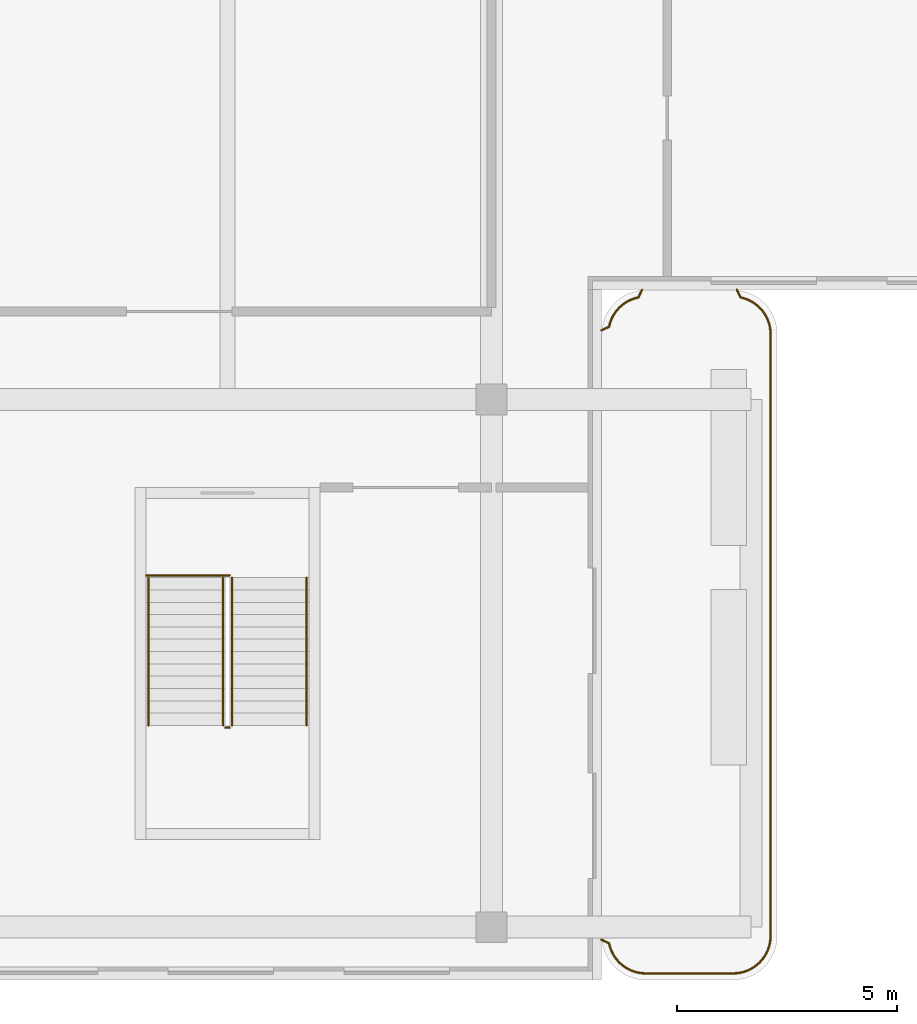
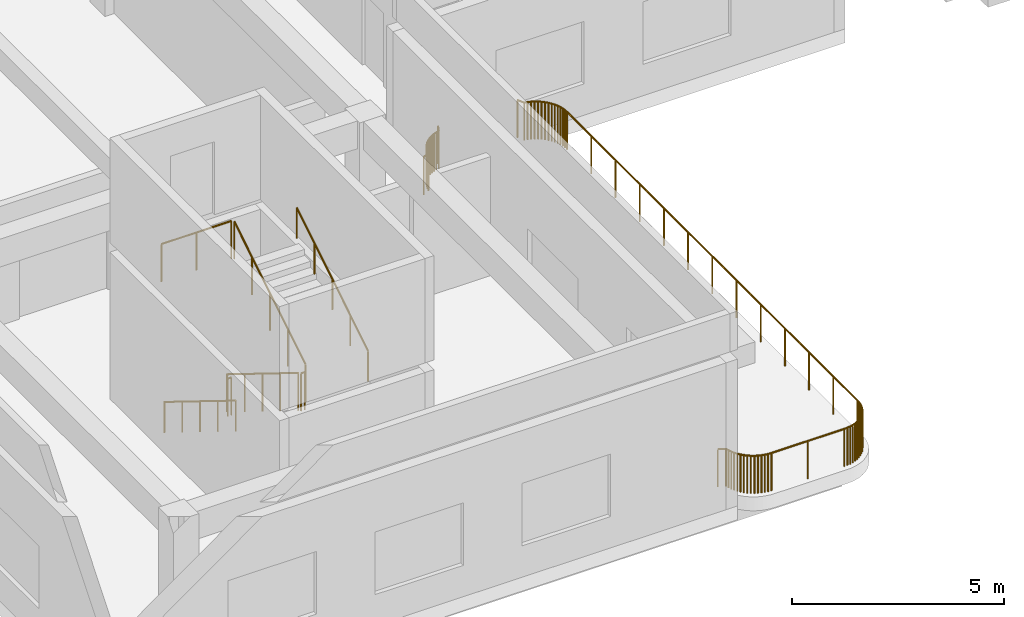
# One storey, part 27 of 35: 9 railings.
"""IFC4 building model written with IfcOpenShell, lengths in metres."""

from ifc_helpers import new_model, si_unit, direction, frame, origin, origin_2d, place, context, subcontext, project, spatial, circle, extrude, material, type_object, element, save


model = new_model("IFC4")

# Units and contexts
model_context = context("Model", 3, precision=1e-05, world=origin(), true_north=direction((0.0, 1.0)))
body_context = subcontext(model_context, "Body", "Model", "MODEL_VIEW")
ifc_project = project(units=[si_unit("LENGTHUNIT", "METRE"), si_unit("AREAUNIT", "SQUARE_METRE"), si_unit("VOLUMEUNIT", "CUBIC_METRE"), si_unit("PLANEANGLEUNIT", "RADIAN"), si_unit("MASSUNIT", "GRAM", prefix="KILO")], contexts=[model_context])

# Site, building, storey
site_placement = place(None, origin())
site = spatial("IfcSite", under=ifc_project, at=site_placement, CompositionType="ELEMENT")
building_placement = place(site_placement, origin())
building = spatial("IfcBuilding", under=site, at=building_placement, Name="Kilnfold Tower and Market Hall", CompositionType="ELEMENT")
storey_placement = place(building_placement, frame((0.0, 0.0, 22.5)))
storey = spatial("IfcBuildingStorey", under=building, at=storey_placement, Name="L04", CompositionType="ELEMENT", Elevation=22.5)

# Railings
ifc_material_1 = material(Name="Steel S355", Category="steel")
railing_type_1 = type_object("IfcRailingType", Name="HALL STAIR GUARD 1100", PredefinedType="GUARDRAIL", material=ifc_material_1)
railing_1_placement = place(storey_placement, frame((-48.75, -34.699951171875, 0.173095703125)))
element("IfcRailing", 1, at=railing_1_placement, inside=storey, type_object=railing_type_1, Name="L04 MS1 stair guard 1", PredefinedType="GUARDRAIL", context=body_context, shape_type="SweptSolid", body=[
    extrude(circle(Radius=0.02392578125, at=origin_2d()), frame((0.0, 0.0, 1.076171875), z_axis=(0.0, -0.850623216509, 0.525775754039), x_axis=(1.0, 0.0, 0.0)), (0.0, 0.0, 1.0), 3.9501953125),
    extrude(circle(Radius=0.02099609375, at=origin_2d()), origin(), (0.0, 0.0, 1.0), 1.052001953125),
    extrude(circle(Radius=0.02099609375, at=origin_2d()), frame((0.0, -0.840087890625, 0.519287109375)), (0.0, 0.0, 1.0), 1.052001953125),
    extrude(circle(Radius=0.02099609375, at=origin_2d()), frame((0.0, -1.68017578125, 1.03857421875)), (0.0, 0.0, 1.0), 1.052001953125),
    extrude(circle(Radius=0.02099609375, at=origin_2d()), frame((0.0, -2.52001953125, 1.5576171875)), (0.0, 0.0, 1.0), 1.052001953125),
    extrude(circle(Radius=0.02099609375, at=origin_2d()), frame((0.0, -3.360107421875, 2.076904296875)), (0.0, 0.0, 1.0), 1.052001953125),
])
railing_2_placement = place(storey_placement, frame((-48.699951171875, -38.110107421875, 2.25)))
element("IfcRailing", 2, at=railing_2_placement, inside=storey, type_object=railing_type_1, Name="L04 MS1 stair guard 2", PredefinedType="GUARDRAIL", context=body_context, shape_type="SweptSolid", body=[
    extrude(circle(Radius=0.02392578125, at=origin_2d()), frame((0.0, 0.0, 1.076171875), z_axis=(1.0, 0.0, 0.0), x_axis=(0.0, 1.0, 0.0)), (0.0, 0.0, 1.0), 0.099853515625),
    extrude(circle(Radius=0.02099609375, at=origin_2d()), origin(), (0.0, 0.0, 1.0), 1.052001953125),
    extrude(circle(Radius=0.02099609375, at=origin_2d()), frame((0.099853515625, 0.0, 0.0)), (0.0, 0.0, 1.0), 1.052001953125),
])
railing_3_placement = place(storey_placement, frame((-48.550048828125, -38.06005859375, 2.423095703125)))
element("IfcRailing", 3, at=railing_3_placement, inside=storey, type_object=railing_type_1, Name="L04 MS1 stair guard 3", PredefinedType="GUARDRAIL", context=body_context, shape_type="SweptSolid", body=[
    extrude(circle(Radius=0.02392578125, at=origin_2d()), frame((0.0, 0.0, 1.076171875), z_axis=(0.0, 0.850623216509, 0.525775754039), x_axis=(-1.0, 0.0, 0.0)), (0.0, 0.0, 1.0), 3.9501953125),
    extrude(circle(Radius=0.02099609375, at=origin_2d()), origin(), (0.0, 0.0, 1.0), 1.052001953125),
    extrude(circle(Radius=0.02099609375, at=origin_2d()), frame((0.0, 0.840087890625, 0.519287109375)), (0.0, 0.0, 1.0), 1.052001953125),
    extrude(circle(Radius=0.02099609375, at=origin_2d()), frame((0.0, 1.68017578125, 1.03857421875)), (0.0, 0.0, 1.0), 1.052001953125),
    extrude(circle(Radius=0.02099609375, at=origin_2d()), frame((0.0, 2.52001953125, 1.5576171875)), (0.0, 0.0, 1.0), 1.052001953125),
    extrude(circle(Radius=0.02099609375, at=origin_2d()), frame((0.0, 3.360107421875, 2.076904296875)), (0.0, 0.0, 1.0), 1.052001953125),
])
railing_4_placement = place(storey_placement, frame((-48.699951171875, -34.64990234375, 0.0)))
element("IfcRailing", 4, at=railing_4_placement, inside=storey, type_object=railing_type_1, Name="L04 MS1 stair guard 4", PredefinedType="GUARDRAIL", context=body_context, shape_type="SweptSolid", body=[
    extrude(circle(Radius=0.02392578125, at=origin_2d()), frame((0.0, 0.0, 1.076171875), z_axis=(1.0, 0.0, 0.0), x_axis=(0.0, 1.0, 0.0)), (0.0, 0.0, 1.0), 0.099853515625),
    extrude(circle(Radius=0.02099609375, at=origin_2d()), origin(), (0.0, 0.0, 1.0), 1.052001953125),
    extrude(circle(Radius=0.02099609375, at=origin_2d()), frame((0.099853515625, 0.0, 0.0)), (0.0, 0.0, 1.0), 1.052001953125),
])
railing_5_placement = place(storey_placement, frame((-50.5, -34.64990234375, 4.5)))
element("IfcRailing", 5, at=railing_5_placement, inside=storey, type_object=railing_type_1, Name="L04 MS1 top well guard 1", PredefinedType="GUARDRAIL", context=body_context, shape_type="SweptSolid", body=[
    extrude(circle(Radius=0.02392578125, at=origin_2d()), frame((0.0, 0.0, 1.076171875), z_axis=(1.0, 0.0, 0.0), x_axis=(0.0, 1.0, 0.0)), (0.0, 0.0, 1.0), 1.89990234375),
    extrude(circle(Radius=0.02099609375, at=origin_2d()), origin(), (0.0, 0.0, 1.0), 1.052001953125),
    extrude(circle(Radius=0.02099609375, at=origin_2d()), frame((0.949951171875, 0.0, 0.0)), (0.0, 0.0, 1.0), 1.052001953125),
    extrude(circle(Radius=0.02099609375, at=origin_2d()), frame((1.89990234375, 0.0, 0.0)), (0.0, 0.0, 1.0), 1.052001953125),
])
ifc_material_2 = material(Name="Steel S355", Category="steel")
railing_type_2 = type_object("IfcRailingType", Name="HALL STAIR HANDRAIL", PredefinedType="HANDRAIL", material=ifc_material_2)
railing_6_placement = place(storey_placement, frame((-50.449951171875, -34.699951171875, 0.173095703125)))
element("IfcRailing", 6, at=railing_6_placement, inside=storey, type_object=railing_type_2, Name="L04 MS1 stair handrail 1", PredefinedType="HANDRAIL", context=body_context, shape_type="SweptSolid", body=[
    extrude(circle(Radius=0.02392578125, at=origin_2d()), frame((0.0, 0.0, 0.8759765625), z_axis=(0.0, -0.850623216509, 0.525775754039), x_axis=(1.0, 0.0, 0.0)), (0.0, 0.0, 1.0), 3.9501953125),
    extrude(circle(Radius=0.02099609375, at=origin_2d()), origin(), (0.0, 0.0, 1.0), 0.851806640625),
    extrude(circle(Radius=0.02099609375, at=origin_2d()), frame((0.0, -0.840087890625, 0.519287109375)), (0.0, 0.0, 1.0), 0.851806640625),
    extrude(circle(Radius=0.02099609375, at=origin_2d()), frame((0.0, -1.68017578125, 1.03857421875)), (0.0, 0.0, 1.0), 0.851806640625),
    extrude(circle(Radius=0.02099609375, at=origin_2d()), frame((0.0, -2.52001953125, 1.5576171875)), (0.0, 0.0, 1.0), 0.851806640625),
    extrude(circle(Radius=0.02099609375, at=origin_2d()), frame((0.0, -3.360107421875, 2.076904296875)), (0.0, 0.0, 1.0), 0.851806640625),
])
railing_7_placement = place(storey_placement, frame((-46.85009765625, -38.06005859375, 2.423095703125)))
element("IfcRailing", 7, at=railing_7_placement, inside=storey, type_object=railing_type_2, Name="L04 MS1 stair handrail 2", PredefinedType="HANDRAIL", context=body_context, shape_type="SweptSolid", body=[
    extrude(circle(Radius=0.02392578125, at=origin_2d()), frame((0.0, 0.0, 0.8759765625), z_axis=(0.0, 0.850623216509, 0.525775754039), x_axis=(-1.0, 0.0, 0.0)), (0.0, 0.0, 1.0), 3.9501953125),
    extrude(circle(Radius=0.02099609375, at=origin_2d()), origin(), (0.0, 0.0, 1.0), 0.851806640625),
    extrude(circle(Radius=0.02099609375, at=origin_2d()), frame((0.0, 0.840087890625, 0.519287109375)), (0.0, 0.0, 1.0), 0.851806640625),
    extrude(circle(Radius=0.02099609375, at=origin_2d()), frame((0.0, 1.68017578125, 1.03857421875)), (0.0, 0.0, 1.0), 0.851806640625),
    extrude(circle(Radius=0.02099609375, at=origin_2d()), frame((0.0, 2.52001953125, 1.5576171875)), (0.0, 0.0, 1.0), 0.851806640625),
    extrude(circle(Radius=0.02099609375, at=origin_2d()), frame((0.0, 3.360107421875, 2.076904296875)), (0.0, 0.0, 1.0), 0.851806640625),
])
ifc_material_3 = material(Name="Steel S355", Category="steel")
railing_type_3 = type_object("IfcRailingType", Name="TERRACE GUARD 1100", PredefinedType="GUARDRAIL", material=ifc_material_3)
railing_8_placement = place(storey_placement, frame((-37.066650390625, -28.14990234375, 0.0)))
element("IfcRailing", 8, at=railing_8_placement, inside=storey, type_object=railing_type_3, Name="Terrace guard L04", PredefinedType="GUARDRAIL", context=body_context, shape_type="SweptSolid", body=[
    extrude(circle(Radius=0.02392578125, at=origin_2d()), frame((0.0, 0.0, 1.076171875), z_axis=(0.42350270475, -0.905894838858, 0.0), x_axis=(0.905894838858, 0.42350270475, 0.0)), (0.0, 0.0, 1.0), 0.19482421875),
    extrude(circle(Radius=0.02392578125, at=origin_2d()), frame((0.08251953125, -0.176513671875, 1.076171875), z_axis=(0.969969877317, -0.243225074977, 0.0), x_axis=(0.243225074977, 0.969969877317, 0.0)), (0.0, 0.0, 1.0), 0.083251953125),
    extrude(circle(Radius=0.02392578125, at=origin_2d()), frame((0.163330078125, -0.19677734375, 1.076171875), z_axis=(0.940812896161, -0.338926384952, 0.0), x_axis=(0.338926384952, 0.940812896161, 0.0)), (0.0, 0.0, 1.0), 0.08349609375),
    extrude(circle(Radius=0.02392578125, at=origin_2d()), frame((0.241943359375, -0.22509765625, 1.076171875), z_axis=(0.904752118748, -0.425938497463, 0.0), x_axis=(0.425938497463, 0.904752118748, 0.0)), (0.0, 0.0, 1.0), 0.0830078125),
    extrude(circle(Radius=0.02392578125, at=origin_2d()), frame((0.317138671875, -0.260498046875, 1.076171875), z_axis=(0.857234666397, -0.514925942955, 0.0), x_axis=(0.514925942955, 0.857234666397, 0.0)), (0.0, 0.0, 1.0), 0.08349609375),
    extrude(circle(Radius=0.02392578125, at=origin_2d()), frame((0.388671875, -0.303466796875, 1.076171875), z_axis=(0.803143107794, -0.595786159963, 0.0), x_axis=(0.595786159963, 0.803143107794, 0.0)), (0.0, 0.0, 1.0), 0.08349609375),
    extrude(circle(Radius=0.02392578125, at=origin_2d()), frame((0.455810546875, -0.353271484375, 1.076171875), z_axis=(0.741396915291, -0.671066773129, 0.0), x_axis=(0.671066773129, 0.741396915291, 0.0)), (0.0, 0.0, 1.0), 0.083251953125),
    extrude(circle(Radius=0.02392578125, at=origin_2d()), frame((0.517578125, -0.4091796875, 1.076171875), z_axis=(0.671066773129, -0.741396915291, 0.0), x_axis=(0.741396915291, 0.671066773129, 0.0)), (0.0, 0.0, 1.0), 0.083251953125),
    extrude(circle(Radius=0.02392578125, at=origin_2d()), frame((0.573486328125, -0.470947265625, 1.076171875), z_axis=(0.595786159963, -0.803143107794, 0.0), x_axis=(0.803143107794, 0.595786159963, 0.0)), (0.0, 0.0, 1.0), 0.08349609375),
    extrude(circle(Radius=0.02392578125, at=origin_2d()), frame((0.623291015625, -0.5380859375, 1.076171875), z_axis=(0.514925942955, -0.857234666397, 0.0), x_axis=(0.857234666397, 0.514925942955, 0.0)), (0.0, 0.0, 1.0), 0.08349609375),
    extrude(circle(Radius=0.02392578125, at=origin_2d()), frame((0.666259765625, -0.609619140625, 1.076171875), z_axis=(0.425938497463, -0.904752118748, 0.0), x_axis=(0.904752118748, 0.425938497463, 0.0)), (0.0, 0.0, 1.0), 0.0830078125),
    extrude(circle(Radius=0.02392578125, at=origin_2d()), frame((0.70166015625, -0.684814453125, 1.076171875), z_axis=(0.336336396998, -0.941741911595, 0.0), x_axis=(0.941741911595, 0.336336396998, 0.0)), (0.0, 0.0, 1.0), 0.08349609375),
    extrude(circle(Radius=0.02392578125, at=origin_2d()), frame((0.729736328125, -0.763427734375, 1.076171875), z_axis=(0.245979182383, -0.969275111531, 0.0), x_axis=(0.969275111531, 0.245979182383, 0.0)), (0.0, 0.0, 1.0), 0.083251953125),
    extrude(circle(Radius=0.02392578125, at=origin_2d()), frame((0.750244140625, -0.84423828125, 1.076171875), z_axis=(0.146336518873, -0.989234867584, 0.0), x_axis=(0.989234867584, 0.146336518873, 0.0)), (0.0, 0.0, 1.0), 0.08349609375),
    extrude(circle(Radius=0.02392578125, at=origin_2d()), frame((0.762451171875, -0.9267578125, 1.076171875), z_axis=(0.047565149415, -0.998868137724, 0.0), x_axis=(0.998868137724, 0.047565149415, 0.0)), (0.0, 0.0, 1.0), 0.087158203125),
    extrude(circle(Radius=0.02392578125, at=origin_2d()), frame((0.7666015625, -1.013916015625, 1.076171875), z_axis=(0.0, -1.0, 0.0), x_axis=(1.0, 0.0, 0.0)), (0.0, 0.0, 1.0), 13.682373046875),
    extrude(circle(Radius=0.02392578125, at=origin_2d()), frame((0.7666015625, -14.6962890625, 1.076171875), z_axis=(-0.047565149415, -0.998868137724, 0.0), x_axis=(0.998868137724, -0.047565149415, 0.0)), (0.0, 0.0, 1.0), 0.087158203125),
    extrude(circle(Radius=0.02392578125, at=origin_2d()), frame((0.762451171875, -14.783447265625, 1.076171875), z_axis=(-0.146336518873, -0.989234867584, 0.0), x_axis=(0.989234867584, -0.146336518873, 0.0)), (0.0, 0.0, 1.0), 0.08349609375),
    extrude(circle(Radius=0.02392578125, at=origin_2d()), frame((0.750244140625, -14.865966796875, 1.076171875), z_axis=(-0.245979182383, -0.969275111531, 0.0), x_axis=(0.969275111531, -0.245979182383, 0.0)), (0.0, 0.0, 1.0), 0.083251953125),
    extrude(circle(Radius=0.02392578125, at=origin_2d()), frame((0.729736328125, -14.94677734375, 1.076171875), z_axis=(-0.336336396998, -0.941741911595, 0.0), x_axis=(0.941741911595, -0.336336396998, 0.0)), (0.0, 0.0, 1.0), 0.08349609375),
    extrude(circle(Radius=0.02392578125, at=origin_2d()), frame((0.70166015625, -15.025390625, 1.076171875), z_axis=(-0.425938497463, -0.904752118748, 0.0), x_axis=(0.904752118748, -0.425938497463, 0.0)), (0.0, 0.0, 1.0), 0.0830078125),
    extrude(circle(Radius=0.02392578125, at=origin_2d()), frame((0.666259765625, -15.1005859375, 1.076171875), z_axis=(-0.514925942955, -0.857234666397, 0.0), x_axis=(0.857234666397, -0.514925942955, 0.0)), (0.0, 0.0, 1.0), 0.08349609375),
    extrude(circle(Radius=0.02392578125, at=origin_2d()), frame((0.623291015625, -15.172119140625, 1.076171875), z_axis=(-0.595786159963, -0.803143107794, 0.0), x_axis=(0.803143107794, -0.595786159963, 0.0)), (0.0, 0.0, 1.0), 0.08349609375),
    extrude(circle(Radius=0.02392578125, at=origin_2d()), frame((0.573486328125, -15.2392578125, 1.076171875), z_axis=(-0.671066773129, -0.741396915291, 0.0), x_axis=(0.741396915291, -0.671066773129, 0.0)), (0.0, 0.0, 1.0), 0.083251953125),
    extrude(circle(Radius=0.02392578125, at=origin_2d()), frame((0.517578125, -15.301025390625, 1.076171875), z_axis=(-0.741396915291, -0.671066773129, 0.0), x_axis=(0.671066773129, -0.741396915291, 0.0)), (0.0, 0.0, 1.0), 0.083251953125),
    extrude(circle(Radius=0.02392578125, at=origin_2d()), frame((0.455810546875, -15.35693359375, 1.076171875), z_axis=(-0.803143107794, -0.595786159963, 0.0), x_axis=(0.595786159963, -0.803143107794, 0.0)), (0.0, 0.0, 1.0), 0.08349609375),
    extrude(circle(Radius=0.02392578125, at=origin_2d()), frame((0.388671875, -15.40673828125, 1.076171875), z_axis=(-0.857234666397, -0.514925942955, 0.0), x_axis=(0.514925942955, -0.857234666397, 0.0)), (0.0, 0.0, 1.0), 0.08349609375),
    extrude(circle(Radius=0.02392578125, at=origin_2d()), frame((0.317138671875, -15.44970703125, 1.076171875), z_axis=(-0.904752118748, -0.425938497463, 0.0), x_axis=(0.425938497463, -0.904752118748, 0.0)), (0.0, 0.0, 1.0), 0.0830078125),
    extrude(circle(Radius=0.02392578125, at=origin_2d()), frame((0.241943359375, -15.485107421875, 1.076171875), z_axis=(-0.941741911595, -0.336336396998, 0.0), x_axis=(0.336336396998, -0.941741911595, 0.0)), (0.0, 0.0, 1.0), 0.08349609375),
    extrude(circle(Radius=0.02392578125, at=origin_2d()), frame((0.163330078125, -15.51318359375, 1.076171875), z_axis=(-0.969275111531, -0.245979182383, 0.0), x_axis=(0.245979182383, -0.969275111531, 0.0)), (0.0, 0.0, 1.0), 0.083251953125),
    extrude(circle(Radius=0.02392578125, at=origin_2d()), frame((0.08251953125, -15.53369140625, 1.076171875), z_axis=(-0.989234867584, -0.146336518873, 0.0), x_axis=(0.146336518873, -0.989234867584, 0.0)), (0.0, 0.0, 1.0), 0.08349609375),
    extrude(circle(Radius=0.02392578125, at=origin_2d()), frame((0.0, -15.5458984375, 1.076171875), z_axis=(-0.998868137724, -0.047565149415, 0.0), x_axis=(0.047565149415, -0.998868137724, 0.0)), (0.0, 0.0, 1.0), 0.087158203125),
    extrude(circle(Radius=0.02392578125, at=origin_2d()), frame((-0.087158203125, -15.550048828125, 1.076171875), z_axis=(-1.0, 0.0, 0.0), x_axis=(0.0, -1.0, 0.0)), (0.0, 0.0, 1.0), 1.982421875),
    extrude(circle(Radius=0.02392578125, at=origin_2d()), frame((-2.069580078125, -15.550048828125, 1.076171875), z_axis=(-0.998868137724, 0.047565149415, 0.0), x_axis=(-0.047565149415, -0.998868137724, 0.0)), (0.0, 0.0, 1.0), 0.087158203125),
    extrude(circle(Radius=0.02392578125, at=origin_2d()), frame((-2.15673828125, -15.5458984375, 1.076171875), z_axis=(-0.989234867584, 0.146336518873, 0.0), x_axis=(-0.146336518873, -0.989234867584, 0.0)), (0.0, 0.0, 1.0), 0.08349609375),
    extrude(circle(Radius=0.02392578125, at=origin_2d()), frame((-2.2392578125, -15.53369140625, 1.076171875), z_axis=(-0.969275111531, 0.245979182383, 0.0), x_axis=(-0.245979182383, -0.969275111531, 0.0)), (0.0, 0.0, 1.0), 0.083251953125),
    extrude(circle(Radius=0.02392578125, at=origin_2d()), frame((-2.320068359375, -15.51318359375, 1.076171875), z_axis=(-0.941409695483, 0.337265155703, 0.0), x_axis=(-0.337265155703, -0.941409695483, 0.0)), (0.0, 0.0, 1.0), 0.083251953125),
    extrude(circle(Radius=0.02392578125, at=origin_2d()), frame((-2.3984375, -15.485107421875, 1.076171875), z_axis=(-0.905282934346, 0.424809143949, 0.0), x_axis=(-0.424809143949, -0.905282934346, 0.0)), (0.0, 0.0, 1.0), 0.083251953125),
    extrude(circle(Radius=0.02392578125, at=origin_2d()), frame((-2.473876953125, -15.44970703125, 1.076171875), z_axis=(-0.857234666397, 0.514925942955, 0.0), x_axis=(-0.514925942955, -0.857234666397, 0.0)), (0.0, 0.0, 1.0), 0.08349609375),
    extrude(circle(Radius=0.02392578125, at=origin_2d()), frame((-2.54541015625, -15.40673828125, 1.076171875), z_axis=(-0.803143107794, 0.595786159963, 0.0), x_axis=(-0.595786159963, -0.803143107794, 0.0)), (0.0, 0.0, 1.0), 0.08349609375),
    extrude(circle(Radius=0.02392578125, at=origin_2d()), frame((-2.612548828125, -15.35693359375, 1.076171875), z_axis=(-0.741396915291, 0.671066773129, 0.0), x_axis=(-0.671066773129, -0.741396915291, 0.0)), (0.0, 0.0, 1.0), 0.083251953125),
    extrude(circle(Radius=0.02392578125, at=origin_2d()), frame((-2.67431640625, -15.301025390625, 1.076171875), z_axis=(-0.671066773129, 0.741396915291, 0.0), x_axis=(-0.741396915291, -0.671066773129, 0.0)), (0.0, 0.0, 1.0), 0.083251953125),
    extrude(circle(Radius=0.02392578125, at=origin_2d()), frame((-2.730224609375, -15.2392578125, 1.076171875), z_axis=(-0.595786159963, 0.803143107794, 0.0), x_axis=(-0.803143107794, -0.595786159963, 0.0)), (0.0, 0.0, 1.0), 0.08349609375),
    extrude(circle(Radius=0.02392578125, at=origin_2d()), frame((-2.780029296875, -15.172119140625, 1.076171875), z_axis=(-0.512771115683, 0.858525353686, 0.0), x_axis=(-0.858525353686, -0.512771115683, 0.0)), (0.0, 0.0, 1.0), 0.083251953125),
    extrude(circle(Radius=0.02392578125, at=origin_2d()), frame((-2.82275390625, -15.1005859375, 1.076171875), z_axis=(-0.428338557428, 0.903618326629, 0.0), x_axis=(-0.903618326629, -0.428338557428, 0.0)), (0.0, 0.0, 1.0), 0.083251953125),
    extrude(circle(Radius=0.02392578125, at=origin_2d()), frame((-2.8583984375, -15.025390625, 1.076171875), z_axis=(-0.336336396998, 0.941741911595, 0.0), x_axis=(-0.941741911595, -0.336336396998, 0.0)), (0.0, 0.0, 1.0), 0.08349609375),
    extrude(circle(Radius=0.02392578125, at=origin_2d()), frame((-2.886474609375, -14.94677734375, 1.076171875), z_axis=(-0.243225074977, 0.969969877317, 0.0), x_axis=(-0.969969877317, -0.243225074977, 0.0)), (0.0, 0.0, 1.0), 0.083251953125),
    extrude(circle(Radius=0.02392578125, at=origin_2d()), frame((-2.90673828125, -14.865966796875, 1.076171875), z_axis=(-0.905894838858, 0.42350270475, 0.0), x_axis=(-0.42350270475, -0.905894838858, 0.0)), (0.0, 0.0, 1.0), 0.19482421875),
    extrude(circle(Radius=0.02099609375, at=origin_2d()), origin(), (0.0, 0.0, 1.0), 1.052001953125),
    extrude(circle(Radius=0.02099609375, at=origin_2d()), frame((0.08251953125, -0.176513671875, 0.0)), (0.0, 0.0, 1.0), 1.052001953125),
    extrude(circle(Radius=0.02099609375, at=origin_2d()), frame((0.163330078125, -0.19677734375, 0.0)), (0.0, 0.0, 1.0), 1.052001953125),
    extrude(circle(Radius=0.02099609375, at=origin_2d()), frame((0.241943359375, -0.22509765625, 0.0)), (0.0, 0.0, 1.0), 1.052001953125),
    extrude(circle(Radius=0.02099609375, at=origin_2d()), frame((0.317138671875, -0.260498046875, 0.0)), (0.0, 0.0, 1.0), 1.052001953125),
    extrude(circle(Radius=0.02099609375, at=origin_2d()), frame((0.388671875, -0.303466796875, 0.0)), (0.0, 0.0, 1.0), 1.052001953125),
    extrude(circle(Radius=0.02099609375, at=origin_2d()), frame((0.455810546875, -0.353271484375, 0.0)), (0.0, 0.0, 1.0), 1.052001953125),
    extrude(circle(Radius=0.02099609375, at=origin_2d()), frame((0.517578125, -0.4091796875, 0.0)), (0.0, 0.0, 1.0), 1.052001953125),
    extrude(circle(Radius=0.02099609375, at=origin_2d()), frame((0.573486328125, -0.470947265625, 0.0)), (0.0, 0.0, 1.0), 1.052001953125),
    extrude(circle(Radius=0.02099609375, at=origin_2d()), frame((0.623291015625, -0.5380859375, 0.0)), (0.0, 0.0, 1.0), 1.052001953125),
    extrude(circle(Radius=0.02099609375, at=origin_2d()), frame((0.666259765625, -0.609619140625, 0.0)), (0.0, 0.0, 1.0), 1.052001953125),
    extrude(circle(Radius=0.02099609375, at=origin_2d()), frame((0.70166015625, -0.684814453125, 0.0)), (0.0, 0.0, 1.0), 1.052001953125),
    extrude(circle(Radius=0.02099609375, at=origin_2d()), frame((0.729736328125, -0.763427734375, 0.0)), (0.0, 0.0, 1.0), 1.052001953125),
    extrude(circle(Radius=0.02099609375, at=origin_2d()), frame((0.750244140625, -0.84423828125, 0.0)), (0.0, 0.0, 1.0), 1.052001953125),
    extrude(circle(Radius=0.02099609375, at=origin_2d()), frame((0.762451171875, -0.9267578125, 0.0)), (0.0, 0.0, 1.0), 1.052001953125),
    extrude(circle(Radius=0.02099609375, at=origin_2d()), frame((0.7666015625, -1.013916015625, 0.0)), (0.0, 0.0, 1.0), 1.052001953125),
    extrude(circle(Radius=0.02099609375, at=origin_2d()), frame((0.7666015625, -2.154052734375, 0.0)), (0.0, 0.0, 1.0), 1.052001953125),
    extrude(circle(Radius=0.02099609375, at=origin_2d()), frame((0.7666015625, -3.29443359375, 0.0)), (0.0, 0.0, 1.0), 1.052001953125),
    extrude(circle(Radius=0.02099609375, at=origin_2d()), frame((0.7666015625, -4.4345703125, 0.0)), (0.0, 0.0, 1.0), 1.052001953125),
    extrude(circle(Radius=0.02099609375, at=origin_2d()), frame((0.7666015625, -5.57470703125, 0.0)), (0.0, 0.0, 1.0), 1.052001953125),
    extrude(circle(Radius=0.02099609375, at=origin_2d()), frame((0.7666015625, -6.71484375, 0.0)), (0.0, 0.0, 1.0), 1.052001953125),
    extrude(circle(Radius=0.02099609375, at=origin_2d()), frame((0.7666015625, -7.85498046875, 0.0)), (0.0, 0.0, 1.0), 1.052001953125),
    extrude(circle(Radius=0.02099609375, at=origin_2d()), frame((0.7666015625, -8.995361328125, 0.0)), (0.0, 0.0, 1.0), 1.052001953125),
    extrude(circle(Radius=0.02099609375, at=origin_2d()), frame((0.7666015625, -10.135498046875, 0.0)), (0.0, 0.0, 1.0), 1.052001953125),
    extrude(circle(Radius=0.02099609375, at=origin_2d()), frame((0.7666015625, -11.275634765625, 0.0)), (0.0, 0.0, 1.0), 1.052001953125),
    extrude(circle(Radius=0.02099609375, at=origin_2d()), frame((0.7666015625, -12.416015625, 0.0)), (0.0, 0.0, 1.0), 1.052001953125),
    extrude(circle(Radius=0.02099609375, at=origin_2d()), frame((0.7666015625, -13.55615234375, 0.0)), (0.0, 0.0, 1.0), 1.052001953125),
    extrude(circle(Radius=0.02099609375, at=origin_2d()), frame((0.7666015625, -14.6962890625, 0.0)), (0.0, 0.0, 1.0), 1.052001953125),
    extrude(circle(Radius=0.02099609375, at=origin_2d()), frame((0.762451171875, -14.783447265625, 0.0)), (0.0, 0.0, 1.0), 1.052001953125),
    extrude(circle(Radius=0.02099609375, at=origin_2d()), frame((0.750244140625, -14.865966796875, 0.0)), (0.0, 0.0, 1.0), 1.052001953125),
    extrude(circle(Radius=0.02099609375, at=origin_2d()), frame((0.729736328125, -14.94677734375, 0.0)), (0.0, 0.0, 1.0), 1.052001953125),
    extrude(circle(Radius=0.02099609375, at=origin_2d()), frame((0.70166015625, -15.025390625, 0.0)), (0.0, 0.0, 1.0), 1.052001953125),
    extrude(circle(Radius=0.02099609375, at=origin_2d()), frame((0.666259765625, -15.1005859375, 0.0)), (0.0, 0.0, 1.0), 1.052001953125),
    extrude(circle(Radius=0.02099609375, at=origin_2d()), frame((0.623291015625, -15.172119140625, 0.0)), (0.0, 0.0, 1.0), 1.052001953125),
    extrude(circle(Radius=0.02099609375, at=origin_2d()), frame((0.573486328125, -15.2392578125, 0.0)), (0.0, 0.0, 1.0), 1.052001953125),
    extrude(circle(Radius=0.02099609375, at=origin_2d()), frame((0.517578125, -15.301025390625, 0.0)), (0.0, 0.0, 1.0), 1.052001953125),
    extrude(circle(Radius=0.02099609375, at=origin_2d()), frame((0.455810546875, -15.35693359375, 0.0)), (0.0, 0.0, 1.0), 1.052001953125),
    extrude(circle(Radius=0.02099609375, at=origin_2d()), frame((0.388671875, -15.40673828125, 0.0)), (0.0, 0.0, 1.0), 1.052001953125),
    extrude(circle(Radius=0.02099609375, at=origin_2d()), frame((0.317138671875, -15.44970703125, 0.0)), (0.0, 0.0, 1.0), 1.052001953125),
    extrude(circle(Radius=0.02099609375, at=origin_2d()), frame((0.241943359375, -15.485107421875, 0.0)), (0.0, 0.0, 1.0), 1.052001953125),
    extrude(circle(Radius=0.02099609375, at=origin_2d()), frame((0.163330078125, -15.51318359375, 0.0)), (0.0, 0.0, 1.0), 1.052001953125),
    extrude(circle(Radius=0.02099609375, at=origin_2d()), frame((0.08251953125, -15.53369140625, 0.0)), (0.0, 0.0, 1.0), 1.052001953125),
    extrude(circle(Radius=0.02099609375, at=origin_2d()), frame((0.0, -15.5458984375, 0.0)), (0.0, 0.0, 1.0), 1.052001953125),
    extrude(circle(Radius=0.02099609375, at=origin_2d()), frame((-0.087158203125, -15.550048828125, 0.0)), (0.0, 0.0, 1.0), 1.052001953125),
    extrude(circle(Radius=0.02099609375, at=origin_2d()), frame((-1.078369140625, -15.550048828125, 0.0)), (0.0, 0.0, 1.0), 1.052001953125),
    extrude(circle(Radius=0.02099609375, at=origin_2d()), frame((-2.069580078125, -15.550048828125, 0.0)), (0.0, 0.0, 1.0), 1.052001953125),
    extrude(circle(Radius=0.02099609375, at=origin_2d()), frame((-2.15673828125, -15.5458984375, 0.0)), (0.0, 0.0, 1.0), 1.052001953125),
    extrude(circle(Radius=0.02099609375, at=origin_2d()), frame((-2.2392578125, -15.53369140625, 0.0)), (0.0, 0.0, 1.0), 1.052001953125),
    extrude(circle(Radius=0.02099609375, at=origin_2d()), frame((-2.320068359375, -15.51318359375, 0.0)), (0.0, 0.0, 1.0), 1.052001953125),
    extrude(circle(Radius=0.02099609375, at=origin_2d()), frame((-2.3984375, -15.485107421875, 0.0)), (0.0, 0.0, 1.0), 1.052001953125),
    extrude(circle(Radius=0.02099609375, at=origin_2d()), frame((-2.473876953125, -15.44970703125, 0.0)), (0.0, 0.0, 1.0), 1.052001953125),
    extrude(circle(Radius=0.02099609375, at=origin_2d()), frame((-2.54541015625, -15.40673828125, 0.0)), (0.0, 0.0, 1.0), 1.052001953125),
    extrude(circle(Radius=0.02099609375, at=origin_2d()), frame((-2.612548828125, -15.35693359375, 0.0)), (0.0, 0.0, 1.0), 1.052001953125),
    extrude(circle(Radius=0.02099609375, at=origin_2d()), frame((-2.67431640625, -15.301025390625, 0.0)), (0.0, 0.0, 1.0), 1.052001953125),
    extrude(circle(Radius=0.02099609375, at=origin_2d()), frame((-2.730224609375, -15.2392578125, 0.0)), (0.0, 0.0, 1.0), 1.052001953125),
    extrude(circle(Radius=0.02099609375, at=origin_2d()), frame((-2.780029296875, -15.172119140625, 0.0)), (0.0, 0.0, 1.0), 1.052001953125),
    extrude(circle(Radius=0.02099609375, at=origin_2d()), frame((-2.82275390625, -15.1005859375, 0.0)), (0.0, 0.0, 1.0), 1.052001953125),
    extrude(circle(Radius=0.02099609375, at=origin_2d()), frame((-2.8583984375, -15.025390625, 0.0)), (0.0, 0.0, 1.0), 1.052001953125),
    extrude(circle(Radius=0.02099609375, at=origin_2d()), frame((-2.886474609375, -14.94677734375, 0.0)), (0.0, 0.0, 1.0), 1.052001953125),
    extrude(circle(Radius=0.02099609375, at=origin_2d()), frame((-2.90673828125, -14.865966796875, 0.0)), (0.0, 0.0, 1.0), 1.052001953125),
    extrude(circle(Radius=0.02099609375, at=origin_2d()), frame((-3.083251953125, -14.783447265625, 0.0)), (0.0, 0.0, 1.0), 1.052001953125),
])
railing_9_placement = place(storey_placement, frame((-40.14990234375, -29.07666015625, 0.0)))
element("IfcRailing", 9, at=railing_9_placement, inside=storey, type_object=railing_type_3, Name="Terrace guard L04", PredefinedType="GUARDRAIL", context=body_context, shape_type="SweptSolid", body=[
    extrude(circle(Radius=0.02392578125, at=origin_2d()), frame((0.0, 0.0, 1.076171875), z_axis=(0.905894838858, 0.42350270475, 0.0), x_axis=(-0.42350270475, 0.905894838858, 0.0)), (0.0, 0.0, 1.0), 0.19482421875),
    extrude(circle(Radius=0.02392578125, at=origin_2d()), frame((0.176513671875, 0.08251953125, 1.076171875), z_axis=(0.243225074977, 0.969969877317, 0.0), x_axis=(-0.969969877317, 0.243225074977, 0.0)), (0.0, 0.0, 1.0), 0.083251953125),
    extrude(circle(Radius=0.02392578125, at=origin_2d()), frame((0.19677734375, 0.163330078125, 1.076171875), z_axis=(0.336336396998, 0.941741911595, 0.0), x_axis=(-0.941741911595, 0.336336396998, 0.0)), (0.0, 0.0, 1.0), 0.08349609375),
    extrude(circle(Radius=0.02392578125, at=origin_2d()), frame((0.224853515625, 0.241943359375, 1.076171875), z_axis=(0.428338557428, 0.903618326629, 0.0), x_axis=(-0.903618326629, 0.428338557428, 0.0)), (0.0, 0.0, 1.0), 0.083251953125),
    extrude(circle(Radius=0.02392578125, at=origin_2d()), frame((0.260498046875, 0.317138671875, 1.076171875), z_axis=(0.512771115683, 0.858525353686, 0.0), x_axis=(-0.858525353686, 0.512771115683, 0.0)), (0.0, 0.0, 1.0), 0.083251953125),
    extrude(circle(Radius=0.02392578125, at=origin_2d()), frame((0.30322265625, 0.388671875, 1.076171875), z_axis=(0.595786159963, 0.803143107794, 0.0), x_axis=(-0.803143107794, 0.595786159963, 0.0)), (0.0, 0.0, 1.0), 0.08349609375),
    extrude(circle(Radius=0.02392578125, at=origin_2d()), frame((0.35302734375, 0.455810546875, 1.076171875), z_axis=(0.671066773129, 0.741396915291, 0.0), x_axis=(-0.741396915291, 0.671066773129, 0.0)), (0.0, 0.0, 1.0), 0.083251953125),
    extrude(circle(Radius=0.02392578125, at=origin_2d()), frame((0.408935546875, 0.517578125, 1.076171875), z_axis=(0.741396915291, 0.671066773129, 0.0), x_axis=(-0.671066773129, 0.741396915291, 0.0)), (0.0, 0.0, 1.0), 0.083251953125),
    extrude(circle(Radius=0.02392578125, at=origin_2d()), frame((0.470703125, 0.573486328125, 1.076171875), z_axis=(0.803143107794, 0.595786159963, 0.0), x_axis=(-0.595786159963, 0.803143107794, 0.0)), (0.0, 0.0, 1.0), 0.08349609375),
    extrude(circle(Radius=0.02392578125, at=origin_2d()), frame((0.537841796875, 0.623291015625, 1.076171875), z_axis=(0.857234666397, 0.514925942955, 0.0), x_axis=(-0.514925942955, 0.857234666397, 0.0)), (0.0, 0.0, 1.0), 0.08349609375),
    extrude(circle(Radius=0.02392578125, at=origin_2d()), frame((0.609375, 0.666259765625, 1.076171875), z_axis=(0.905282934346, 0.424809143949, 0.0), x_axis=(-0.424809143949, 0.905282934346, 0.0)), (0.0, 0.0, 1.0), 0.083251953125),
    extrude(circle(Radius=0.02392578125, at=origin_2d()), frame((0.684814453125, 0.70166015625, 1.076171875), z_axis=(0.94047587938, 0.339860442393, 0.0), x_axis=(-0.339860442393, 0.94047587938, 0.0)), (0.0, 0.0, 1.0), 0.083251953125),
    extrude(circle(Radius=0.02392578125, at=origin_2d()), frame((0.76318359375, 0.72998046875, 1.076171875), z_axis=(0.969969877317, 0.243225074977, 0.0), x_axis=(-0.243225074977, 0.969969877317, 0.0)), (0.0, 0.0, 1.0), 0.083251953125),
    extrude(circle(Radius=0.02392578125, at=origin_2d()), frame((0.843994140625, 0.750244140625, 1.076171875), z_axis=(0.42350270475, 0.905894838858, 0.0), x_axis=(-0.905894838858, 0.42350270475, 0.0)), (0.0, 0.0, 1.0), 0.19482421875),
    extrude(circle(Radius=0.02099609375, at=origin_2d()), origin(), (0.0, 0.0, 1.0), 1.052001953125),
    extrude(circle(Radius=0.02099609375, at=origin_2d()), frame((0.176513671875, 0.08251953125, 0.0)), (0.0, 0.0, 1.0), 1.052001953125),
    extrude(circle(Radius=0.02099609375, at=origin_2d()), frame((0.19677734375, 0.163330078125, 0.0)), (0.0, 0.0, 1.0), 1.052001953125),
    extrude(circle(Radius=0.02099609375, at=origin_2d()), frame((0.224853515625, 0.241943359375, 0.0)), (0.0, 0.0, 1.0), 1.052001953125),
    extrude(circle(Radius=0.02099609375, at=origin_2d()), frame((0.260498046875, 0.317138671875, 0.0)), (0.0, 0.0, 1.0), 1.052001953125),
    extrude(circle(Radius=0.02099609375, at=origin_2d()), frame((0.30322265625, 0.388671875, 0.0)), (0.0, 0.0, 1.0), 1.052001953125),
    extrude(circle(Radius=0.02099609375, at=origin_2d()), frame((0.35302734375, 0.455810546875, 0.0)), (0.0, 0.0, 1.0), 1.052001953125),
    extrude(circle(Radius=0.02099609375, at=origin_2d()), frame((0.408935546875, 0.517578125, 0.0)), (0.0, 0.0, 1.0), 1.052001953125),
    extrude(circle(Radius=0.02099609375, at=origin_2d()), frame((0.470703125, 0.573486328125, 0.0)), (0.0, 0.0, 1.0), 1.052001953125),
    extrude(circle(Radius=0.02099609375, at=origin_2d()), frame((0.537841796875, 0.623291015625, 0.0)), (0.0, 0.0, 1.0), 1.052001953125),
    extrude(circle(Radius=0.02099609375, at=origin_2d()), frame((0.609375, 0.666259765625, 0.0)), (0.0, 0.0, 1.0), 1.052001953125),
    extrude(circle(Radius=0.02099609375, at=origin_2d()), frame((0.684814453125, 0.70166015625, 0.0)), (0.0, 0.0, 1.0), 1.052001953125),
    extrude(circle(Radius=0.02099609375, at=origin_2d()), frame((0.76318359375, 0.72998046875, 0.0)), (0.0, 0.0, 1.0), 1.052001953125),
    extrude(circle(Radius=0.02099609375, at=origin_2d()), frame((0.843994140625, 0.750244140625, 0.0)), (0.0, 0.0, 1.0), 1.052001953125),
    extrude(circle(Radius=0.02099609375, at=origin_2d()), frame((0.926513671875, 0.9267578125, 0.0)), (0.0, 0.0, 1.0), 1.052001953125),
])

save(model, "model.ifc")
